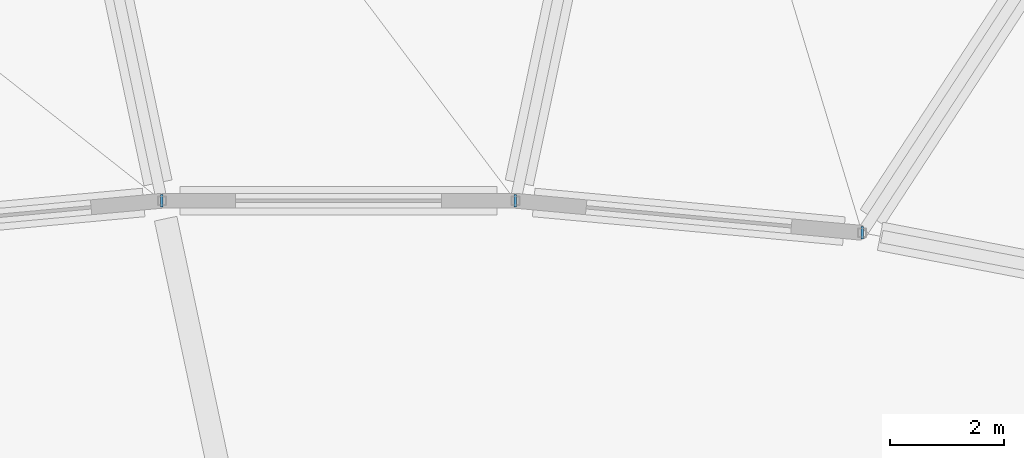
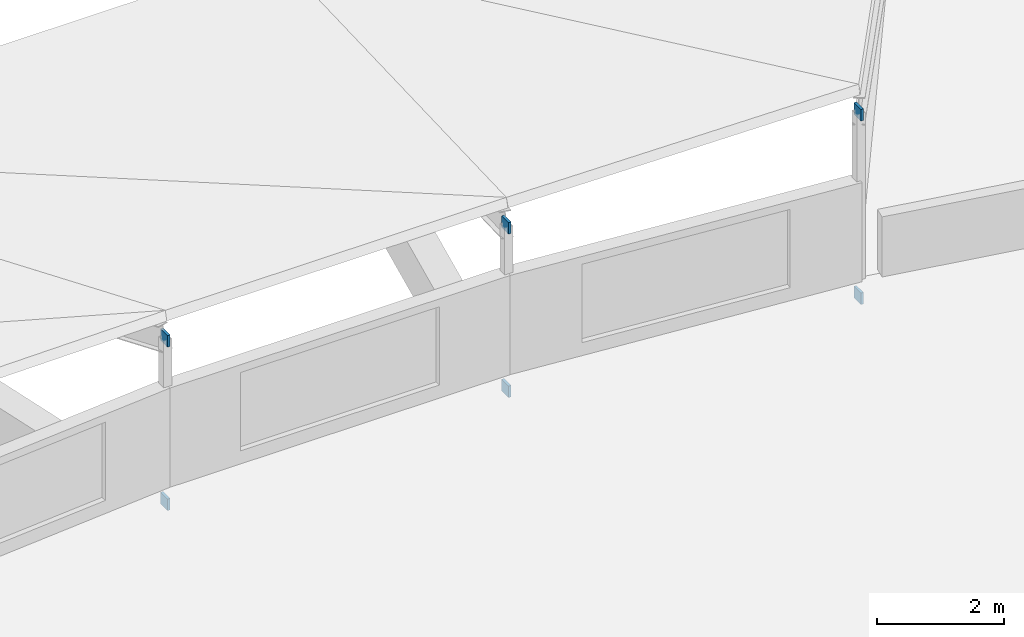
# One storey, part 94 of 142: 6 plates.
"""IFC4 building model written with IfcOpenShell, lengths in metres."""

from ifc_helpers import new_model, si_unit, direction, frame, origin, origin_2d, place, context, subcontext, project, spatial, rectangle, extrude, material, layer, layer_set, type_object, element, save


model = new_model("IFC4")

# Units and contexts
model_context = context("Model", 3, precision=1e-05, world=origin(), true_north=direction((0.0, 1.0)))
body_context = subcontext(model_context, "Body", "Model", "MODEL_VIEW")
ifc_project = project(units=[si_unit("LENGTHUNIT", "METRE"), si_unit("AREAUNIT", "SQUARE_METRE"), si_unit("VOLUMEUNIT", "CUBIC_METRE"), si_unit("PLANEANGLEUNIT", "RADIAN"), si_unit("MASSUNIT", "GRAM", prefix="KILO")], contexts=[model_context])

# Site, building, storey
site_placement = place(None, origin())
site = spatial("IfcSite", under=ifc_project, at=site_placement, CompositionType="ELEMENT")
building_placement = place(site_placement, origin())
building = spatial("IfcBuilding", under=site, at=building_placement, Name="Corvandel Quay Wholesale Market", CompositionType="ELEMENT")
storey_placement = place(building_placement, frame((0.0, 0.0, 10.800048828125)))
storey = spatial("IfcBuildingStorey", under=building, at=storey_placement, Name="L02", CompositionType="ELEMENT", Elevation=10.800048828125)

# Plates
ifc_material = material(Name="Steel A572 Grade 50", Category="steel")
ifc_layer = layer(ifc_material, 0.044921875)
ifc_layer_set = layer_set([ifc_layer], Name="Steel A572 Grade 50")
plate_type = type_object("IfcPlateType", Name="Steel Brace End Cap Plate PLT02 45mm", PredefinedType="SHEET", material=ifc_layer_set)
for number, where, z_axis, x_axis, name in (
    (1, (123.14697265625, 130.0, -0.4482421875), (0.0, 0.0, 1.0), (0.0, 1.0, 0.0), "HSS Cap Plate PLT-0001"),
    (2, (123.14697265625, 130.0, 3.06884765625), (0.0, 0.0, 1.0), (0.0, 1.0, 0.0), "HSS Cap Plate PLT-0002"),
    (3, (117.089111328125, 130.56005859375, -0.4482421875), (0.0, 0.0, 1.0), (0.0, 1.0, 0.0), "HSS Cap Plate PLT-0003"),
    (4, (117.089111328125, 130.56005859375, 2.68212890625), (0.0, 0.0, 1.0), (0.0, 1.0, 0.0), "HSS Cap Plate PLT-0004"),
    (5, (110.910888671875, 130.56005859375, -0.4482421875), (0.0, 0.0, 1.0), (0.0, 1.0, 0.0), "HSS Cap Plate PLT-0005"),
    (6, (110.910888671875, 130.56005859375, 2.68212890625), (0.0, 0.0, 1.0), (0.0, 1.0, 0.0), "HSS Cap Plate PLT-0006"),
):
    element("IfcPlate", number, at=place(storey_placement, frame(where, z_axis=z_axis, x_axis=x_axis)), inside=storey, type_object=plate_type, Name=name, PredefinedType="SHEET", context=body_context, shape_type="SweptSolid", body=[
        extrude(rectangle(XDim=0.219970703125, YDim=0.044921875, at=origin_2d()), origin(), (0.0, 0.0, 1.0), 0.219970703125),
    ])

save(model, "model.ifc")
